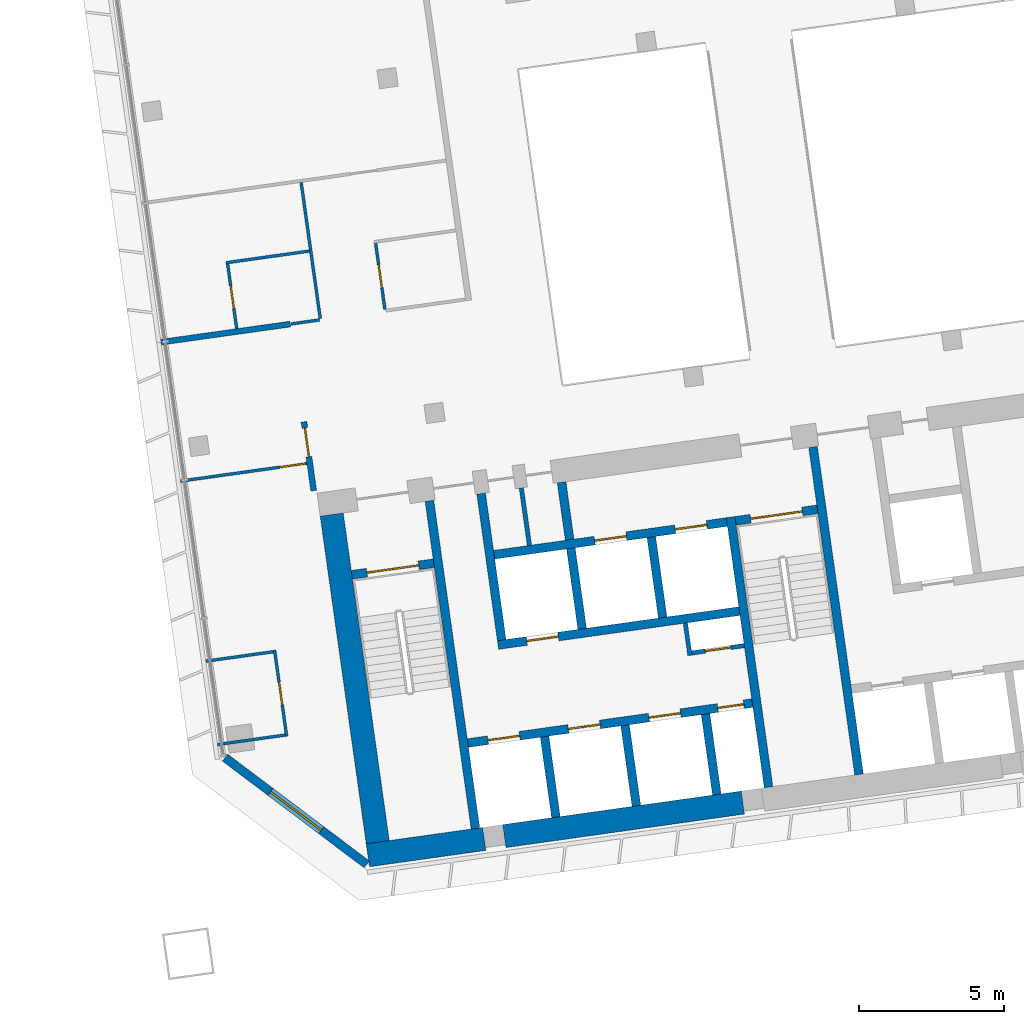
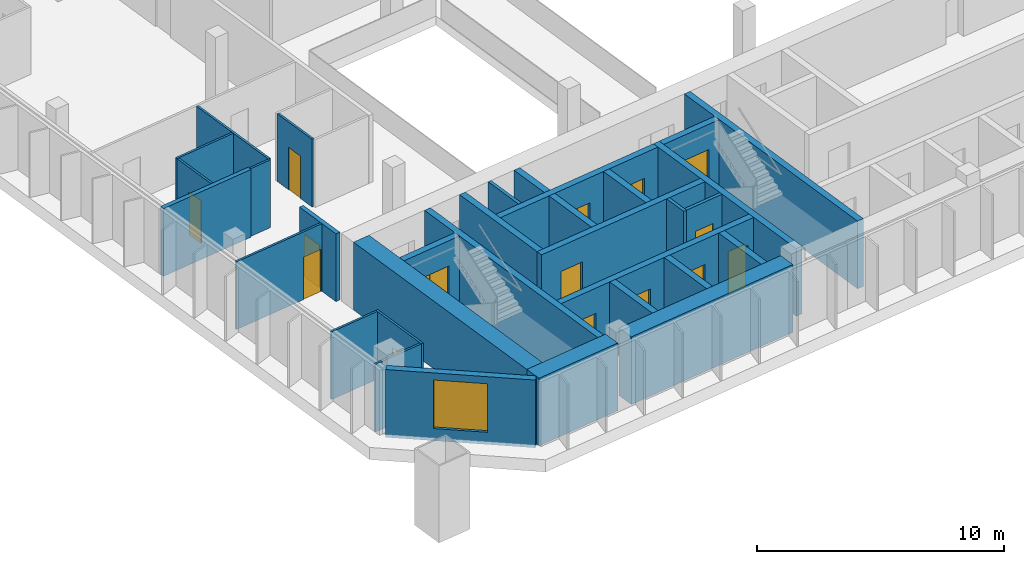
# One storey, part 18 of 26: 33 walls, 15 doors, 1 window, 16 openings.
"""IFC4 building model written with IfcOpenShell, lengths in metres."""

from ifc_helpers import new_model, si_unit, direction, frame, frame_2d, origin, place, context, subcontext, project, spatial, rectangle, extrude, material, layer, layer_set, type_object, element, fill, save


model = new_model("IFC4")

# Units and contexts
model_context = context("Model", 3, precision=1e-05, world=origin(), true_north=direction((0.0, 1.0)))
body_context = subcontext(model_context, "Body", "Model", "MODEL_VIEW")
ifc_project = project(units=[si_unit("LENGTHUNIT", "METRE"), si_unit("AREAUNIT", "SQUARE_METRE"), si_unit("VOLUMEUNIT", "CUBIC_METRE"), si_unit("PLANEANGLEUNIT", "RADIAN"), si_unit("MASSUNIT", "GRAM", prefix="KILO")], contexts=[model_context])

# Site, building, storey
site_placement = place(None, origin())
site = spatial("IfcSite", under=ifc_project, at=site_placement, CompositionType="ELEMENT")
building_placement = place(site_placement, origin())
building = spatial("IfcBuilding", under=site, at=building_placement, Name="Mirante Cascada Hotel Towers", CompositionType="ELEMENT")
storey_placement = place(building_placement, frame((0.0, 0.0, 106.3)))
storey = spatial("IfcBuildingStorey", under=building, at=storey_placement, Name="L23", CompositionType="ELEMENT", Elevation=106.3)

# Wall
ifc_material_1 = material(Name="Fire-rated plasterboard on metal studs")
ifc_layer_1 = layer(ifc_material_1, 0.2)
ifc_layer_set_1 = layer_set([ifc_layer_1], Name="Compartment wall 200 EI 120")
wall_type_1 = type_object("IfcWallType", Name="Compartment wall 200 EI 120", PredefinedType="PARTITIONING", material=ifc_layer_set_1)
wall_1_placement = place(storey_placement, frame((30.0, -2.0, 0.0), z_axis=(0.0, 0.0, 1.0), x_axis=(0.9902674, 0.1391779, 0.0)))
element("IfcWall", 1, at=wall_1_placement, inside=storey, type_object=wall_type_1, Name="Wall 2-L23-08", PredefinedType="PARTITIONING", context=body_context, shape_type="SweptSolid", body=[
    extrude(rectangle(XDim=4.5, YDim=0.2, at=frame_2d((2.25, 0.0))), origin(), (0.0, 0.0, 1.0), 3.35),
])

# Wall, opening, door
wall_2_placement = place(storey_placement, frame((35.2634, -7.1173, 0.0), z_axis=(0.0, 0.0, 1.0), x_axis=(-0.1391635, 0.9902694, 0.0)))
wall_2 = element("IfcWall", 2, at=wall_2_placement, inside=storey, type_object=wall_type_1, Name="Wall 2-L23-34", PredefinedType="PARTITIONING", context=body_context, shape_type="SweptSolid", body=[
    extrude(rectangle(XDim=2.4001, YDim=0.2, at=frame_2d((1.2, 0.0))), origin(), (0.0, 0.0, 1.0), 3.35),
])
opening_1_placement = place(wall_2_placement, frame((1.1833, 0.0, 0.0)))
opening_1 = element("IfcOpeningElement", 3, at=opening_1_placement, cuts=wall_2, Name="Opening D2-L23-28", PredefinedType="OPENING", context=body_context, shape_type="SweptSolid", body=[
    extrude(rectangle(XDim=1.0, YDim=2.1, at=frame_2d((0.5, 1.05))), frame((0.0, 0.1, 0.0), z_axis=(0.0, -1.0, 0.0), x_axis=(1.0, 0.0, 0.0)), (0.0, 0.0, 1.0), 0.2),
])
ifc_material_2 = material(Name="Fire-rated timber door leaf", Category="wood")
door_type_1 = type_object("IfcDoorType", Name="Entrance door DG1 1000x2100 EI 60", OperationType="SINGLE_SWING_LEFT", PredefinedType="DOOR", material=ifc_material_2)
door_1_placement = place(opening_1_placement, origin())
door_1 = element("IfcDoor", 4, at=door_1_placement, inside=storey, type_object=door_type_1, Name="Door D2-L23-28", OperationType="SINGLE_SWING_LEFT", OverallHeight=2.1, OverallWidth=1.0, PredefinedType="DOOR", context=body_context, shape_type="SweptSolid", body=[
    extrude(rectangle(XDim=1.0, YDim=2.1, at=frame_2d((0.5, 1.05))), frame((0.0, 0.025, 0.0), z_axis=(0.0, -1.0, 0.0), x_axis=(1.0, 0.0, 0.0)), (0.0, 0.0, 1.0), 0.05),
])
fill(opening_1, door_1)

# Wall
ifc_material_3 = material(Name="Masonry block", Category="masonry")
ifc_layer_2 = layer(ifc_material_3, 0.15)
ifc_layer_set_2 = layer_set([ifc_layer_2], Name="Core room partition 150 block EI 30")
wall_type_2 = type_object("IfcWallType", Name="Core room partition 150 block EI 30", PredefinedType="PARTITIONING", material=ifc_layer_set_2)
wall_3_placement = place(storey_placement, frame((48.2295, -12.793, 0.0), z_axis=(0.0, 0.0, 1.0), x_axis=(-0.1391935, 0.9902652, 0.0)))
element("IfcWall", 5, at=wall_3_placement, inside=storey, type_object=wall_type_2, Name="Core wall partition T2 L23 2", PredefinedType="PARTITIONING", context=body_context, shape_type="SweptSolid", body=[
    extrude(rectangle(XDim=1.1251, YDim=0.15, at=frame_2d((0.5626, 0.0))), origin(), (0.0, 0.0, 1.0), 3.35),
])

# Wall, opening, door
wall_4_placement = place(storey_placement, frame((48.2933, -12.7083, 0.0), z_axis=(0.0, 0.0, 1.0), x_axis=(0.990268, 0.1391734, 0.0)))
wall_4 = element("IfcWall", 6, at=wall_4_placement, inside=storey, type_object=wall_type_2, Name="Core wall partition T2 L23 3", PredefinedType="PARTITIONING", context=body_context, shape_type="SweptSolid", body=[
    extrude(rectangle(XDim=1.8251, YDim=0.15, at=frame_2d((0.9126, 0.0))), origin(), (0.0, 0.0, 1.0), 3.35),
])
opening_2_placement = place(wall_4_placement, frame((0.4625, 0.0, 0.0)))
opening_2 = element("IfcOpeningElement", 7, at=opening_2_placement, cuts=wall_4, Name="Opening D2-23-C23", PredefinedType="OPENING", context=body_context, shape_type="SweptSolid", body=[
    extrude(rectangle(XDim=0.9, YDim=2.1, at=frame_2d((0.45, 1.05))), frame((0.0, 0.075, 0.0), z_axis=(0.0, -1.0, 0.0), x_axis=(1.0, 0.0, 0.0)), (0.0, 0.0, 1.0), 0.15),
])
ifc_material_4 = material(Name="Hollow metal fire door leaf")
door_type_2 = type_object("IfcDoorType", Name="Fire door 900x2100 FD60", OperationType="NOTDEFINED", PredefinedType="DOOR", material=ifc_material_4)
door_2_placement = place(opening_2_placement, frame((0.9, 0.0, 0.0), z_axis=(0.0, 0.0, 1.0), x_axis=(-1.0, 0.0, 0.0)))
door_2 = element("IfcDoor", 8, at=door_2_placement, inside=storey, type_object=door_type_2, Name="Riser door T2 L23 23", OperationType="SINGLE_SWING_RIGHT", OverallHeight=2.1, OverallWidth=0.9, PredefinedType="DOOR", context=body_context, shape_type="SweptSolid", body=[
    extrude(rectangle(XDim=0.9, YDim=2.1, at=frame_2d((0.45, 1.05))), frame((0.0, 0.025, 0.0), z_axis=(0.0, -1.0, 0.0), x_axis=(1.0, 0.0, 0.0)), (0.0, 0.0, 1.0), 0.05),
])
fill(opening_2, door_2)

# Walls
wall_5_placement = place(storey_placement, frame((42.6979, -9.0009, 0.0), z_axis=(0.0, 0.0, 1.0), x_axis=(-0.1391529, 0.9902709, 0.0)))
element("IfcWall", 9, at=wall_5_placement, inside=storey, type_object=wall_type_2, Name="Core wall partition T2 L23 4", PredefinedType="PARTITIONING", context=body_context, shape_type="SweptSolid", body=[
    extrude(rectangle(XDim=2.0, YDim=0.15, at=frame_2d((1.0, 0.0))), origin(), (0.0, 0.0, 1.0), 3.35),
])
ifc_material_5 = material(Name="Masonry block", Category="masonry")
ifc_layer_3 = layer(ifc_material_5, 0.3)
ifc_layer_set_3 = layer_set([ifc_layer_3], Name="Core wall 300 block EI 120")
wall_type_3 = type_object("IfcWallType", Name="Core wall 300 block EI 120", PredefinedType="PARTITIONING", material=ifc_layer_set_3)
wall_6_placement = place(storey_placement, frame((44.0843, -8.8061, 0.0), z_axis=(0.0, 0.0, 1.0), x_axis=(-0.1391951, 0.990265, 0.0)))
element("IfcWall", 10, at=wall_6_placement, inside=storey, type_object=wall_type_3, Name="Core wall partition T2 L23 1", PredefinedType="PARTITIONING", context=body_context, shape_type="SweptSolid", body=[
    extrude(rectangle(XDim=2.0001, YDim=0.3, at=frame_2d((1.0001, 0.0))), origin(), (0.0, 0.0, 1.0), 3.35),
])
ifc_material_6 = material(Name="Plasterboard on metal studs")
ifc_layer_4 = layer(ifc_material_6, 0.1)
ifc_layer_set_4 = layer_set([ifc_layer_4], Name="Partition 100")
wall_type_4 = type_object("IfcWallType", Name="Partition 100", PredefinedType="PARTITIONING", material=ifc_layer_set_4)
for number, where, z_axis, x_axis, name in (
    (11, (31.9484, -15.8638, 0.0), (0.0, 0.0, 1.0), (0.9902661, 0.139187, 0.0), "Wall 2-L23-02"),
    (12, (33.872, -12.6649, 0.0), (0.0, 0.0, 1.0), (-0.9902661, -0.139187, 0.0), "Wall 2-L23-03"),
):
    element("IfcWall", number, at=place(storey_placement, frame(where, z_axis=z_axis, x_axis=x_axis)), inside=storey, type_object=wall_type_4, Name=name, PredefinedType="PARTITIONING", context=body_context, shape_type="SweptSolid", body=[
        extrude(rectangle(XDim=2.3501, YDim=0.1, at=frame_2d((1.175, 0.0))), origin(), (0.0, 0.0, 1.0), 3.35),
    ])

# Wall, opening, door
wall_7_placement = place(storey_placement, frame((30.6727, -6.7863, 0.0), z_axis=(0.0, 0.0, 1.0), x_axis=(0.9902665, 0.1391841, 0.0)))
wall_7 = element("IfcWall", 13, at=wall_7_placement, inside=storey, type_object=wall_type_4, Name="Wall 2-L23-04", PredefinedType="PARTITIONING", context=body_context, shape_type="SweptSolid", body=[
    extrude(rectangle(XDim=4.3999, YDim=0.1, at=frame_2d((2.2, 0.0))), origin(), (0.0, 0.0, 1.0), 3.35),
])
opening_3_placement = place(wall_7_placement, frame((3.45, 0.0, 0.0)))
opening_3 = element("IfcOpeningElement", 14, at=opening_3_placement, cuts=wall_7, Name="Opening D2-L23-02", PredefinedType="OPENING", context=body_context, shape_type="SweptSolid", body=[
    extrude(rectangle(XDim=0.9, YDim=2.1, at=frame_2d((0.45, 1.05))), frame((0.0, 0.05, 0.0), z_axis=(0.0, -1.0, 0.0), x_axis=(1.0, 0.0, 0.0)), (0.0, 0.0, 1.0), 0.1),
])
ifc_material_7 = material(Name="Timber door leaf", Category="wood")
door_type_3 = type_object("IfcDoorType", Name="Room door DG3 900x2100", OperationType="SINGLE_SWING_LEFT", PredefinedType="DOOR", material=ifc_material_7)
door_3_placement = place(opening_3_placement, frame((0.9, 0.0, 0.0), z_axis=(0.0, 0.0, 1.0), x_axis=(-1.0, 0.0, 0.0)))
door_3 = element("IfcDoor", 15, at=door_3_placement, inside=storey, type_object=door_type_3, Name="Door D2-L23-02", OperationType="SINGLE_SWING_RIGHT", OverallHeight=2.1, OverallWidth=0.9, PredefinedType="DOOR", context=body_context, shape_type="SweptSolid", body=[
    extrude(rectangle(XDim=0.9, YDim=2.1, at=frame_2d((0.45, 1.05))), frame((0.0, 0.025, 0.0), z_axis=(0.0, -1.0, 0.0), x_axis=(1.0, 0.0, 0.0)), (0.0, 0.0, 1.0), 0.05),
])
fill(opening_3, door_3)

# Walls
wall_8_placement = place(storey_placement, frame((35.4663, -1.2318, 0.0), z_axis=(0.0, 0.0, 1.0), x_axis=(-0.9902801, -0.1390877, 0.0)))
element("IfcWall", 16, at=wall_8_placement, inside=storey, type_object=wall_type_4, Name="Wall 2-L23-09", PredefinedType="PARTITIONING", context=body_context, shape_type="SweptSolid", body=[
    extrude(rectangle(XDim=0.99, YDim=0.1, at=frame_2d((0.495, 0.0))), origin(), (0.0, 0.0, 1.0), 3.35),
])
wall_9_placement = place(storey_placement, frame((32.2407, 0.7385, 0.0), z_axis=(0.0, 0.0, 1.0), x_axis=(0.9902683, 0.1391714, 0.0)))
element("IfcWall", 17, at=wall_9_placement, inside=storey, type_object=wall_type_4, Name="Wall 2-L23-12", PredefinedType="PARTITIONING", context=body_context, shape_type="SweptSolid", body=[
    extrude(rectangle(XDim=2.9, YDim=0.1, at=frame_2d((1.45, 0.0))), origin(), (0.0, 0.0, 1.0), 3.35),
])

# Wall, opening, door
wall_10_placement = place(storey_placement, frame((34.332, -15.5793, 0.0), z_axis=(0.0, 0.0, 1.0), x_axis=(-0.1391624, 0.9902696, 0.0)))
wall_10 = element("IfcWall", 18, at=wall_10_placement, inside=storey, type_object=wall_type_4, Name="Wall 2-L23-32", PredefinedType="PARTITIONING", context=body_context, shape_type="SweptSolid", body=[
    extrude(rectangle(XDim=3.0001, YDim=0.1, at=frame_2d((1.5001, 0.0))), origin(), (0.0, 0.0, 1.0), 3.35),
])
opening_4_placement = place(wall_10_placement, frame((1.1, 0.0, 0.0)))
opening_4 = element("IfcOpeningElement", 19, at=opening_4_placement, cuts=wall_10, Name="Opening D2-L23-26", PredefinedType="OPENING", context=body_context, shape_type="SweptSolid", body=[
    extrude(rectangle(XDim=0.8, YDim=2.1, at=frame_2d((0.4, 1.05))), frame((0.0, 0.05, 0.0), z_axis=(0.0, -1.0, 0.0), x_axis=(1.0, 0.0, 0.0)), (0.0, 0.0, 1.0), 0.1),
])
ifc_material_8 = material(Name="Timber door leaf", Category="wood")
door_type_4 = type_object("IfcDoorType", Name="Bathroom door DG4 800x2100", OperationType="SINGLE_SWING_LEFT", PredefinedType="DOOR", material=ifc_material_8)
door_4_placement = place(opening_4_placement, frame((0.8, 0.0, 0.0), z_axis=(0.0, 0.0, 1.0), x_axis=(-1.0, 0.0, 0.0)))
door_4 = element("IfcDoor", 20, at=door_4_placement, inside=storey, type_object=door_type_4, Name="Door D2-L23-26", OperationType="SINGLE_SWING_RIGHT", OverallHeight=2.1, OverallWidth=0.8, PredefinedType="DOOR", context=body_context, shape_type="SweptSolid", body=[
    extrude(rectangle(XDim=0.8, YDim=2.1, at=frame_2d((0.4, 1.05))), frame((0.0, 0.025, 0.0), z_axis=(0.0, -1.0, 0.0), x_axis=(1.0, 0.0, 0.0)), (0.0, 0.0, 1.0), 0.05),
])
fill(opening_4, door_4)

wall_11_placement = place(storey_placement, frame((32.2972, 0.6959, 0.0), z_axis=(0.0, 0.0, 1.0), x_axis=(0.1391561, -0.9902705, 0.0)))
wall_11 = element("IfcWall", 21, at=wall_11_placement, inside=storey, type_object=wall_type_4, Name="Wall 2-L23-33", PredefinedType="PARTITIONING", context=body_context, shape_type="SweptSolid", body=[
    extrude(rectangle(XDim=2.25, YDim=0.1, at=frame_2d((1.125, 0.0))), origin(), (0.0, 0.0, 1.0), 3.35),
])
opening_5_placement = place(wall_11_placement, frame((0.75, 0.0, 0.0)))
opening_5 = element("IfcOpeningElement", 22, at=opening_5_placement, cuts=wall_11, Name="Opening D2-L23-27", PredefinedType="OPENING", context=body_context, shape_type="SweptSolid", body=[
    extrude(rectangle(XDim=0.8, YDim=2.1, at=frame_2d((0.4, 1.05))), frame((0.0, 0.05, 0.0), z_axis=(0.0, -1.0, 0.0), x_axis=(1.0, 0.0, 0.0)), (0.0, 0.0, 1.0), 0.1),
])
door_5_placement = place(opening_5_placement, origin())
door_5 = element("IfcDoor", 23, at=door_5_placement, inside=storey, type_object=door_type_4, Name="Door D2-L23-27", OperationType="SINGLE_SWING_LEFT", OverallHeight=2.1, OverallWidth=0.8, PredefinedType="DOOR", context=body_context, shape_type="SweptSolid", body=[
    extrude(rectangle(XDim=0.8, YDim=2.1, at=frame_2d((0.4, 1.05))), frame((0.0, 0.025, 0.0), z_axis=(0.0, -1.0, 0.0), x_axis=(1.0, 0.0, 0.0)), (0.0, 0.0, 1.0), 0.05),
])
fill(opening_5, door_5)

# Wall
wall_12_placement = place(storey_placement, frame((35.489, -1.1781, 0.0), z_axis=(0.0, 0.0, 1.0), x_axis=(-0.1391613, 0.9902697, 0.0)))
element("IfcWall", 24, at=wall_12_placement, inside=storey, type_object=wall_type_4, Name="Wall 2-L23-36", PredefinedType="PARTITIONING", context=body_context, shape_type="SweptSolid", body=[
    extrude(rectangle(XDim=4.7334, YDim=0.1, at=frame_2d((2.3667, 0.0))), origin(), (0.0, 0.0, 1.0), 3.35),
])

# Wall, opening, door
wall_13_placement = place(storey_placement, frame((37.397, 1.4127, 0.0), z_axis=(0.0, 0.0, 1.0), x_axis=(0.1391749, -0.9902678, 0.0)))
wall_13 = element("IfcWall", 25, at=wall_13_placement, inside=storey, type_object=wall_type_4, Name="Wall 2-L23-37", PredefinedType="PARTITIONING", context=body_context, shape_type="SweptSolid", body=[
    extrude(rectangle(XDim=2.3, YDim=0.1, at=frame_2d((1.15, 0.0))), origin(), (0.0, 0.0, 1.0), 3.35),
])
opening_6_placement = place(wall_13_placement, frame((0.75, 0.0, 0.0)))
opening_6 = element("IfcOpeningElement", 26, at=opening_6_placement, cuts=wall_13, Name="Opening D2-L23-30", PredefinedType="OPENING", context=body_context, shape_type="SweptSolid", body=[
    extrude(rectangle(XDim=0.8, YDim=2.1, at=frame_2d((0.4, 1.05))), frame((0.0, 0.05, 0.0), z_axis=(0.0, -1.0, 0.0), x_axis=(1.0, 0.0, 0.0)), (0.0, 0.0, 1.0), 0.1),
])
door_6_placement = place(opening_6_placement, origin())
door_6 = element("IfcDoor", 27, at=door_6_placement, inside=storey, type_object=door_type_4, Name="Door D2-L23-30", OperationType="SINGLE_SWING_LEFT", OverallHeight=2.1, OverallWidth=0.8, PredefinedType="DOOR", context=body_context, shape_type="SweptSolid", body=[
    extrude(rectangle(XDim=0.8, YDim=2.1, at=frame_2d((0.4, 1.05))), frame((0.0, 0.025, 0.0), z_axis=(0.0, -1.0, 0.0), x_axis=(1.0, 0.0, 0.0)), (0.0, 0.0, 1.0), 0.05),
])
fill(opening_6, door_6)

# Wall, opening, window
ifc_material_9 = material(Name="Precast concrete C40/50", Category="concrete")
ifc_layer_5 = layer(ifc_material_9, 0.3)
ifc_layer_set_5 = layer_set([ifc_layer_5], Name="Precast concrete C40/50 cladding wall 300")
wall_type_5 = type_object("IfcWallType", Name="Precast concrete C40/50 cladding wall 300", PredefinedType="STANDARD", material=ifc_layer_set_5)
wall_14_placement = place(storey_placement, frame((32.2074, -16.3138, 0.0), z_axis=(0.0, 0.0, 1.0), x_axis=(0.7986362, -0.6018141, 0.0)))
wall_14 = element("IfcWall", 28, at=wall_14_placement, inside=storey, type_object=wall_type_5, Name="Corner cladding wall T2 L23 inner rear", PredefinedType="STANDARD", context=body_context, shape_type="SweptSolid", body=[
    extrude(rectangle(XDim=6.1157, YDim=0.3, at=frame_2d((3.0578, 0.0))), origin(), (0.0, 0.0, 1.0), 3.35),
])
opening_7_placement = place(wall_14_placement, frame((1.9578, 0.0, 0.6)))
opening_7 = element("IfcOpeningElement", 29, at=opening_7_placement, cuts=wall_14, Name="Opening W2-23-06", PredefinedType="OPENING", context=body_context, shape_type="SweptSolid", body=[
    extrude(rectangle(XDim=2.2, YDim=2.4, at=frame_2d((1.1, 1.2))), frame((0.0, 0.15, 0.0), z_axis=(0.0, -1.0, 0.0), x_axis=(1.0, 0.0, 0.0)), (0.0, 0.0, 1.0), 0.3),
])
ifc_material_10 = material(Name="Aluminium frame with clear double glazing", Category="aluminium")
window_type = type_object("IfcWindowType", Name="Corner suite window 2200x2400", PartitioningType="DOUBLE_PANEL_VERTICAL", PredefinedType="WINDOW", material=ifc_material_10)
window_placement = place(opening_7_placement, origin())
window = element("IfcWindow", 30, at=window_placement, inside=storey, type_object=window_type, Name="Window W2-23-06", OverallHeight=2.4, OverallWidth=2.2, PartitioningType="SINGLE_PANEL", PredefinedType="WINDOW", context=body_context, shape_type="SweptSolid", body=[
    extrude(rectangle(XDim=2.2, YDim=2.4, at=frame_2d((1.1, 1.2))), frame((0.0, 0.03, 0.0), z_axis=(0.0, -1.0, 0.0), x_axis=(1.0, 0.0, 0.0)), (0.0, 0.0, 1.0), 0.06),
])
fill(opening_7, window)

# Walls
ifc_material_11 = material(Name="Concrete C50/60", Category="concrete")
ifc_layer_6 = layer(ifc_material_11, 0.3)
ifc_layer_set_6 = layer_set([ifc_layer_6], Name="RC core wall 300 C50/60")
wall_type_6 = type_object("IfcWallType", Name="RC core wall 300 C50/60", PredefinedType="SHEAR", material=ifc_layer_set_6)
wall_15_placement = place(storey_placement, frame((40.8373, -18.7548, 0.0), z_axis=(0.0, 0.0, 1.0), x_axis=(-0.1391749, 0.9902678, 0.0)))
element("IfcWall", 31, at=wall_15_placement, inside=storey, type_object=wall_type_6, Name="Core wall T2:L23:5", PredefinedType="SHEAR", context=body_context, shape_type="SweptSolid", body=[
    extrude(rectangle(XDim=11.4, YDim=0.3, at=frame_2d((5.7, 0.0))), origin(), (0.0, 0.0, 1.0), 3.35),
])
wall_16_placement = place(storey_placement, frame((50.938, -17.3352, 0.0), z_axis=(0.0, 0.0, 1.0), x_axis=(-0.1391706, 0.9902684, 0.0)))
element("IfcWall", 32, at=wall_16_placement, inside=storey, type_object=wall_type_6, Name="Core wall T2:L23:6", PredefinedType="SHEAR", context=body_context, shape_type="SweptSolid", body=[
    extrude(rectangle(XDim=9.4, YDim=0.3, at=frame_2d((4.7, 0.0))), origin(), (0.0, 0.0, 1.0), 3.35),
])
wall_17_placement = place(storey_placement, frame((54.0574, -16.8968, 0.0), z_axis=(0.0, 0.0, 1.0), x_axis=(-0.1391761, 0.9902677, 0.0)))
element("IfcWall", 33, at=wall_17_placement, inside=storey, type_object=wall_type_6, Name="Core wall T2:L23:7", PredefinedType="SHEAR", context=body_context, shape_type="SweptSolid", body=[
    extrude(rectangle(XDim=11.3999, YDim=0.3, at=frame_2d((5.7, 0.0))), origin(), (0.0, 0.0, 1.0), 3.35),
])

# Wall, opening, door
wall_18_placement = place(storey_placement, frame((36.5791, -10.0123, 0.0), z_axis=(0.0, 0.0, 1.0), x_axis=(0.9902704, 0.1391564, 0.0)))
wall_18 = element("IfcWall", 34, at=wall_18_placement, inside=storey, type_object=wall_type_6, Name="Core wall T2:L23:9", PredefinedType="SHEAR", context=body_context, shape_type="SweptSolid", body=[
    extrude(rectangle(XDim=2.85, YDim=0.3, at=frame_2d((1.425, 0.0))), origin(), (0.0, 0.0, 1.0), 3.35),
])
opening_8_placement = place(wall_18_placement, frame((0.525, 0.0, 0.0)))
opening_8 = element("IfcOpeningElement", 35, at=opening_8_placement, cuts=wall_18, Name="Opening D2-23-C13", PredefinedType="OPENING", context=body_context, shape_type="SweptSolid", body=[
    extrude(rectangle(XDim=1.8, YDim=2.1, at=frame_2d((0.9, 1.05))), frame((0.0, 0.15, 0.0), z_axis=(0.0, -1.0, 0.0), x_axis=(1.0, 0.0, 0.0)), (0.0, 0.0, 1.0), 0.3),
])
ifc_material_12 = material(Name="Hollow metal fire door leaf")
door_type_5 = type_object("IfcDoorType", Name="Double fire door 1800x2100 FD60", OperationType="DOUBLE_DOOR_SINGLE_SWING", PredefinedType="DOOR", material=ifc_material_12)
door_7_placement = place(opening_8_placement, frame((1.8, 0.0, 0.0), z_axis=(0.0, 0.0, 1.0), x_axis=(-1.0, 0.0, 0.0)))
door_7 = element("IfcDoor", 36, at=door_7_placement, inside=storey, type_object=door_type_5, Name="Stair door T2 L23 13", OperationType="DOUBLE_DOOR_SINGLE_SWING", OverallHeight=2.1, OverallWidth=1.8, PredefinedType="DOOR", context=body_context, shape_type="SweptSolid", body=[
    extrude(rectangle(XDim=0.895, YDim=2.1, at=frame_2d((0.4475, 1.05))), frame((0.0, 0.025, 0.0), z_axis=(0.0, -1.0, 0.0), x_axis=(1.0, 0.0, 0.0)), (0.0, 0.0, 1.0), 0.05),
    extrude(rectangle(XDim=0.895, YDim=2.1, at=frame_2d((1.3525, 1.05))), frame((0.0, 0.025, 0.0), z_axis=(0.0, -1.0, 0.0), x_axis=(1.0, 0.0, 0.0)), (0.0, 0.0, 1.0), 0.05),
])
fill(opening_8, door_7)

wall_19_placement = place(storey_placement, frame((49.7992, -8.1544, 0.0), z_axis=(0.0, 0.0, 1.0), x_axis=(0.9902656, 0.1391909, 0.0)))
wall_19 = element("IfcWall", 37, at=wall_19_placement, inside=storey, type_object=wall_type_6, Name="Core wall T2:L23:10", PredefinedType="SHEAR", context=body_context, shape_type="SweptSolid", body=[
    extrude(rectangle(XDim=2.85, YDim=0.3, at=frame_2d((1.425, 0.0))), origin(), (0.0, 0.0, 1.0), 3.35),
])
opening_9_placement = place(wall_19_placement, frame((0.525, 0.0, 0.0)))
opening_9 = element("IfcOpeningElement", 38, at=opening_9_placement, cuts=wall_19, Name="Opening D2-23-C15", PredefinedType="OPENING", context=body_context, shape_type="SweptSolid", body=[
    extrude(rectangle(XDim=1.8, YDim=2.1, at=frame_2d((0.9, 1.05))), frame((0.0, 0.15, 0.0), z_axis=(0.0, -1.0, 0.0), x_axis=(1.0, 0.0, 0.0)), (0.0, 0.0, 1.0), 0.3),
])
door_8_placement = place(opening_9_placement, frame((1.8, 0.0, 0.0), z_axis=(0.0, 0.0, 1.0), x_axis=(-1.0, 0.0, 0.0)))
door_8 = element("IfcDoor", 39, at=door_8_placement, inside=storey, type_object=door_type_5, Name="Stair door T2 L23 15", OperationType="DOUBLE_DOOR_SINGLE_SWING", OverallHeight=2.1, OverallWidth=1.8, PredefinedType="DOOR", context=body_context, shape_type="SweptSolid", body=[
    extrude(rectangle(XDim=0.895, YDim=2.1, at=frame_2d((0.4475, 1.05))), frame((0.0, 0.025, 0.0), z_axis=(0.0, -1.0, 0.0), x_axis=(1.0, 0.0, 0.0)), (0.0, 0.0, 1.0), 0.05),
    extrude(rectangle(XDim=0.895, YDim=2.1, at=frame_2d((1.3525, 1.05))), frame((0.0, 0.025, 0.0), z_axis=(0.0, -1.0, 0.0), x_axis=(1.0, 0.0, 0.0)), (0.0, 0.0, 1.0), 0.05),
])
fill(opening_9, door_8)

# Wall, openings, doors
wall_20_placement = place(storey_placement, frame((40.5753, -15.8126, 0.0), z_axis=(0.0, 0.0, 1.0), x_axis=(0.9902682, 0.1391725, 0.0)))
wall_20 = element("IfcWall", 40, at=wall_20_placement, inside=storey, type_object=wall_type_6, Name="Core wall T2:L23:12", PredefinedType="SHEAR", context=body_context, shape_type="SweptSolid", body=[
    extrude(rectangle(XDim=9.8999, YDim=0.3, at=frame_2d((4.95, 0.0))), origin(), (0.0, 0.0, 1.0), 3.35),
])
opening_10_placement = place(wall_20_placement, frame((0.7, 0.0, 0.0)))
opening_10 = element("IfcOpeningElement", 41, at=opening_10_placement, cuts=wall_20, Name="Opening LD", PredefinedType="OPENING", context=body_context, shape_type="SweptSolid", body=[
    extrude(rectangle(XDim=1.1, YDim=2.1, at=frame_2d((0.55, 1.05))), frame((0.0, 0.15, 0.0), z_axis=(0.0, -1.0, 0.0), x_axis=(1.0, 0.0, 0.0)), (0.0, 0.0, 1.0), 0.3),
])
opening_11_placement = place(wall_20_placement, frame((3.5, 0.0, 0.0)))
opening_11 = element("IfcOpeningElement", 42, at=opening_11_placement, cuts=wall_20, Name="Opening LD", PredefinedType="OPENING", context=body_context, shape_type="SweptSolid", body=[
    extrude(rectangle(XDim=1.1, YDim=2.1, at=frame_2d((0.55, 1.05))), frame((0.0, 0.15, 0.0), z_axis=(0.0, -1.0, 0.0), x_axis=(1.0, 0.0, 0.0)), (0.0, 0.0, 1.0), 0.3),
])
opening_12_placement = place(wall_20_placement, frame((6.3, 0.0, 0.0)))
opening_12 = element("IfcOpeningElement", 43, at=opening_12_placement, cuts=wall_20, Name="Opening LD", PredefinedType="OPENING", context=body_context, shape_type="SweptSolid", body=[
    extrude(rectangle(XDim=1.1, YDim=2.1, at=frame_2d((0.55, 1.05))), frame((0.0, 0.15, 0.0), z_axis=(0.0, -1.0, 0.0), x_axis=(1.0, 0.0, 0.0)), (0.0, 0.0, 1.0), 0.3),
])
opening_13_placement = place(wall_20_placement, frame((8.7, 0.0, 0.0)))
opening_13 = element("IfcOpeningElement", 44, at=opening_13_placement, cuts=wall_20, Name="Opening D2-23-C22", PredefinedType="OPENING", context=body_context, shape_type="SweptSolid", body=[
    extrude(rectangle(XDim=0.9, YDim=2.1, at=frame_2d((0.45, 1.05))), frame((0.0, 0.15, 0.0), z_axis=(0.0, -1.0, 0.0), x_axis=(1.0, 0.0, 0.0)), (0.0, 0.0, 1.0), 0.3),
])
door_9_placement = place(opening_13_placement, frame((0.9, 0.0, 0.0), z_axis=(0.0, 0.0, 1.0), x_axis=(-1.0, 0.0, 0.0)))
door_9 = element("IfcDoor", 45, at=door_9_placement, inside=storey, type_object=door_type_2, Name="Riser door T2 L23 22", OperationType="SINGLE_SWING_RIGHT", OverallHeight=2.1, OverallWidth=0.9, PredefinedType="DOOR", context=body_context, shape_type="SweptSolid", body=[
    extrude(rectangle(XDim=0.9, YDim=2.1, at=frame_2d((0.45, 1.05))), frame((0.0, 0.025, 0.0), z_axis=(0.0, -1.0, 0.0), x_axis=(1.0, 0.0, 0.0)), (0.0, 0.0, 1.0), 0.05),
])
fill(opening_13, door_9)
ifc_material_13 = material(Name="Stainless steel", Category="steel")
door_type_6 = type_object("IfcDoorType", Name="Lift landing door 1100x2100 EI 120", OperationType="DOUBLE_DOOR_SLIDING", PredefinedType="DOOR", material=ifc_material_13)
door_10_placement = place(opening_10_placement, origin())
door_10 = element("IfcDoor", 46, at=door_10_placement, inside=storey, type_object=door_type_6, Name="Lift landing door HR2-1 L23", OperationType="DOUBLE_DOOR_SLIDING", OverallHeight=2.1, OverallWidth=1.1, PredefinedType="DOOR", context=body_context, shape_type="SweptSolid", body=[
    extrude(rectangle(XDim=0.545, YDim=2.1, at=frame_2d((0.2725, 1.05))), frame((0.0, 0.025, 0.0), z_axis=(0.0, -1.0, 0.0), x_axis=(1.0, 0.0, 0.0)), (0.0, 0.0, 1.0), 0.05),
    extrude(rectangle(XDim=0.545, YDim=2.1, at=frame_2d((0.8275, 1.05))), frame((0.0, 0.025, 0.0), z_axis=(0.0, -1.0, 0.0), x_axis=(1.0, 0.0, 0.0)), (0.0, 0.0, 1.0), 0.05),
])
fill(opening_10, door_10)
door_11_placement = place(opening_11_placement, origin())
door_11 = element("IfcDoor", 47, at=door_11_placement, inside=storey, type_object=door_type_6, Name="Lift landing door HR2-2 L23", OperationType="DOUBLE_DOOR_SLIDING", OverallHeight=2.1, OverallWidth=1.1, PredefinedType="DOOR", context=body_context, shape_type="SweptSolid", body=[
    extrude(rectangle(XDim=0.545, YDim=2.1, at=frame_2d((0.2725, 1.05))), frame((0.0, 0.025, 0.0), z_axis=(0.0, -1.0, 0.0), x_axis=(1.0, 0.0, 0.0)), (0.0, 0.0, 1.0), 0.05),
    extrude(rectangle(XDim=0.545, YDim=2.1, at=frame_2d((0.8275, 1.05))), frame((0.0, 0.025, 0.0), z_axis=(0.0, -1.0, 0.0), x_axis=(1.0, 0.0, 0.0)), (0.0, 0.0, 1.0), 0.05),
])
fill(opening_11, door_11)
door_12_placement = place(opening_12_placement, origin())
door_12 = element("IfcDoor", 48, at=door_12_placement, inside=storey, type_object=door_type_6, Name="Lift landing door HR2-3 L23", OperationType="DOUBLE_DOOR_SLIDING", OverallHeight=2.1, OverallWidth=1.1, PredefinedType="DOOR", context=body_context, shape_type="SweptSolid", body=[
    extrude(rectangle(XDim=0.545, YDim=2.1, at=frame_2d((0.2725, 1.05))), frame((0.0, 0.025, 0.0), z_axis=(0.0, -1.0, 0.0), x_axis=(1.0, 0.0, 0.0)), (0.0, 0.0, 1.0), 0.05),
    extrude(rectangle(XDim=0.545, YDim=2.1, at=frame_2d((0.8275, 1.05))), frame((0.0, 0.025, 0.0), z_axis=(0.0, -1.0, 0.0), x_axis=(1.0, 0.0, 0.0)), (0.0, 0.0, 1.0), 0.05),
])
fill(opening_12, door_12)

# Wall, opening, door
wall_21_placement = place(storey_placement, frame((41.6153, -12.435, 0.0), z_axis=(0.0, 0.0, 1.0), x_axis=(0.9902691, 0.139166, 0.0)))
wall_21 = element("IfcWall", 49, at=wall_21_placement, inside=storey, type_object=wall_type_6, Name="Core wall T2:L23:13", PredefinedType="SHEAR", context=body_context, shape_type="SweptSolid", body=[
    extrude(rectangle(XDim=8.4, YDim=0.3, at=frame_2d((4.2, 0.0))), origin(), (0.0, 0.0, 1.0), 3.35),
])
opening_14_placement = place(wall_21_placement, frame((1.0, 0.0, 0.0)))
opening_14 = element("IfcOpeningElement", 50, at=opening_14_placement, cuts=wall_21, Name="Opening LD", PredefinedType="OPENING", context=body_context, shape_type="SweptSolid", body=[
    extrude(rectangle(XDim=1.1, YDim=2.1, at=frame_2d((0.55, 1.05))), frame((0.0, 0.15, 0.0), z_axis=(0.0, -1.0, 0.0), x_axis=(1.0, 0.0, 0.0)), (0.0, 0.0, 1.0), 0.3),
])
door_13_placement = place(opening_14_placement, origin())
door_13 = element("IfcDoor", 51, at=door_13_placement, inside=storey, type_object=door_type_6, Name="Lift landing door HR2-4 L23", OperationType="DOUBLE_DOOR_SLIDING", OverallHeight=2.1, OverallWidth=1.1, PredefinedType="DOOR", context=body_context, shape_type="SweptSolid", body=[
    extrude(rectangle(XDim=0.545, YDim=2.1, at=frame_2d((0.2725, 1.05))), frame((0.0, 0.025, 0.0), z_axis=(0.0, -1.0, 0.0), x_axis=(1.0, 0.0, 0.0)), (0.0, 0.0, 1.0), 0.05),
    extrude(rectangle(XDim=0.545, YDim=2.1, at=frame_2d((0.8275, 1.05))), frame((0.0, 0.025, 0.0), z_axis=(0.0, -1.0, 0.0), x_axis=(1.0, 0.0, 0.0)), (0.0, 0.0, 1.0), 0.05),
])
fill(opening_14, door_13)

# Wall, openings, doors
wall_22_placement = place(storey_placement, frame((41.481, -9.3234, 0.0), z_axis=(0.0, 0.0, 1.0), x_axis=(0.9902679, 0.1391741, 0.0)))
wall_22 = element("IfcWall", 52, at=wall_22_placement, inside=storey, type_object=wall_type_6, Name="Core wall T2:L23:14", PredefinedType="SHEAR", context=body_context, shape_type="SweptSolid", body=[
    extrude(rectangle(XDim=8.0999, YDim=0.3, at=frame_2d((4.05, 0.0))), origin(), (0.0, 0.0, 1.0), 3.35),
])
opening_15_placement = place(wall_22_placement, frame((3.5, 0.0, 0.0)))
opening_15 = element("IfcOpeningElement", 53, at=opening_15_placement, cuts=wall_22, Name="Opening LD", PredefinedType="OPENING", context=body_context, shape_type="SweptSolid", body=[
    extrude(rectangle(XDim=1.1, YDim=2.1, at=frame_2d((0.55, 1.05))), frame((0.0, 0.15, 0.0), z_axis=(0.0, -1.0, 0.0), x_axis=(1.0, 0.0, 0.0)), (0.0, 0.0, 1.0), 0.3),
])
opening_16_placement = place(wall_22_placement, frame((6.3, 0.0, 0.0)))
opening_16 = element("IfcOpeningElement", 54, at=opening_16_placement, cuts=wall_22, Name="Opening LD", PredefinedType="OPENING", context=body_context, shape_type="SweptSolid", body=[
    extrude(rectangle(XDim=1.1, YDim=2.1, at=frame_2d((0.55, 1.05))), frame((0.0, 0.15, 0.0), z_axis=(0.0, -1.0, 0.0), x_axis=(1.0, 0.0, 0.0)), (0.0, 0.0, 1.0), 0.3),
])
door_14_placement = place(opening_15_placement, origin())
door_14 = element("IfcDoor", 55, at=door_14_placement, inside=storey, type_object=door_type_6, Name="Lift landing door FF3 L23", OperationType="DOUBLE_DOOR_SLIDING", OverallHeight=2.1, OverallWidth=1.1, PredefinedType="DOOR", context=body_context, shape_type="SweptSolid", body=[
    extrude(rectangle(XDim=0.545, YDim=2.1, at=frame_2d((0.2725, 1.05))), frame((0.0, 0.025, 0.0), z_axis=(0.0, -1.0, 0.0), x_axis=(1.0, 0.0, 0.0)), (0.0, 0.0, 1.0), 0.05),
    extrude(rectangle(XDim=0.545, YDim=2.1, at=frame_2d((0.8275, 1.05))), frame((0.0, 0.025, 0.0), z_axis=(0.0, -1.0, 0.0), x_axis=(1.0, 0.0, 0.0)), (0.0, 0.0, 1.0), 0.05),
])
fill(opening_15, door_14)
door_15_placement = place(opening_16_placement, origin())
door_15 = element("IfcDoor", 56, at=door_15_placement, inside=storey, type_object=door_type_6, Name="Lift landing door FF4 L23", OperationType="DOUBLE_DOOR_SLIDING", OverallHeight=2.1, OverallWidth=1.1, PredefinedType="DOOR", context=body_context, shape_type="SweptSolid", body=[
    extrude(rectangle(XDim=0.545, YDim=2.1, at=frame_2d((0.2725, 1.05))), frame((0.0, 0.025, 0.0), z_axis=(0.0, -1.0, 0.0), x_axis=(1.0, 0.0, 0.0)), (0.0, 0.0, 1.0), 0.05),
    extrude(rectangle(XDim=0.545, YDim=2.1, at=frame_2d((0.8275, 1.05))), frame((0.0, 0.025, 0.0), z_axis=(0.0, -1.0, 0.0), x_axis=(1.0, 0.0, 0.0)), (0.0, 0.0, 1.0), 0.05),
])
fill(opening_16, door_15)

# Walls
wall_23_placement = place(storey_placement, frame((43.61, -18.3651, 0.0), z_axis=(0.0, 0.0, 1.0), x_axis=(-0.1391459, 0.9902719, 0.0)))
element("IfcWall", 57, at=wall_23_placement, inside=storey, type_object=wall_type_6, Name="Core wall T2:L23:15", PredefinedType="SHEAR", context=body_context, shape_type="SweptSolid", body=[
    extrude(rectangle(XDim=2.7999, YDim=0.3, at=frame_2d((1.4, 0.0))), origin(), (0.0, 0.0, 1.0), 3.35),
])
wall_24_placement = place(storey_placement, frame((46.3828, -17.9754, 0.0), z_axis=(0.0, 0.0, 1.0), x_axis=(-0.139181, 0.990267, 0.0)))
element("IfcWall", 58, at=wall_24_placement, inside=storey, type_object=wall_type_6, Name="Core wall T2:L23:16", PredefinedType="SHEAR", context=body_context, shape_type="SweptSolid", body=[
    extrude(rectangle(XDim=2.8, YDim=0.3, at=frame_2d((1.4, 0.0))), origin(), (0.0, 0.0, 1.0), 3.35),
])
wall_25_placement = place(storey_placement, frame((49.1555, -17.5857, 0.0), z_axis=(0.0, 0.0, 1.0), x_axis=(-0.1391459, 0.9902719, 0.0)))
element("IfcWall", 59, at=wall_25_placement, inside=storey, type_object=wall_type_6, Name="Core wall T2:L23:17", PredefinedType="SHEAR", context=body_context, shape_type="SweptSolid", body=[
    extrude(rectangle(XDim=2.7999, YDim=0.3, at=frame_2d((1.4, 0.0))), origin(), (0.0, 0.0, 1.0), 3.35),
])
for number, where, z_axis, x_axis, name in (
    (60, (44.5157, -11.8759, 0.0), (0.0, 0.0, 1.0), (-0.139181, 0.990267, 0.0), "Core wall T2:L23:18"),
    (61, (47.2885, -11.4862, 0.0), (0.0, 0.0, 1.0), (-0.139181, 0.990267, 0.0), "Core wall T2:L23:19"),
):
    element("IfcWall", number, at=place(storey_placement, frame(where, z_axis=z_axis, x_axis=x_axis)), inside=storey, type_object=wall_type_6, Name=name, PredefinedType="SHEAR", context=body_context, shape_type="SweptSolid", body=[
        extrude(rectangle(XDim=2.8, YDim=0.3, at=frame_2d((1.4, 0.0))), origin(), (0.0, 0.0, 1.0), 3.35),
    ])
wall_26_placement = place(storey_placement, frame((41.743, -12.2656, 0.0), z_axis=(0.0, 0.0, 1.0), x_axis=(-0.1391755, 0.9902677, 0.0)))
element("IfcWall", 62, at=wall_26_placement, inside=storey, type_object=wall_type_6, Name="Core wall T2:L23:20", PredefinedType="SHEAR", context=body_context, shape_type="SweptSolid", body=[
    extrude(rectangle(XDim=5.1, YDim=0.3, at=frame_2d((2.55, 0.0))), origin(), (0.0, 0.0, 1.0), 3.35),
])
ifc_material_14 = material(Name="Concrete C50/60", Category="concrete")
ifc_layer_7 = layer(ifc_material_14, 0.8)
ifc_layer_set_7 = layer_set([ifc_layer_7], Name="RC core wall 800 C50/60")
wall_type_7 = type_object("IfcWallType", Name="RC core wall 800 C50/60", PredefinedType="SHEAR", material=ifc_layer_set_7)
wall_27_placement = place(storey_placement, frame((37.1299, -19.6798, 0.0), z_axis=(0.0, 0.0, 1.0), x_axis=(0.9902665, 0.1391845, 0.0)))
element("IfcWall", 63, at=wall_27_placement, inside=storey, type_object=wall_type_7, Name="Core wall T2:L23:1.1", PredefinedType="SHEAR", context=body_context, shape_type="SweptSolid", body=[
    extrude(rectangle(XDim=4.05, YDim=0.8, at=frame_2d((2.025, 0.0))), origin(), (0.0, 0.0, 1.0), 3.35),
])
wall_28_placement = place(storey_placement, frame((41.8337, -19.0187, 0.0), z_axis=(0.0, 0.0, 1.0), x_axis=(0.9902686, 0.1391692, 0.0)))
element("IfcWall", 64, at=wall_28_placement, inside=storey, type_object=wall_type_7, Name="Core wall T2:L23:1.2", PredefinedType="SHEAR", context=body_context, shape_type="SweptSolid", body=[
    extrude(rectangle(XDim=8.3, YDim=0.8, at=frame_2d((4.15, 0.0))), origin(), (0.0, 0.0, 1.0), 3.35),
])
wall_29_placement = place(storey_placement, frame((37.4704, -19.228, 0.0), z_axis=(0.0, 0.0, 1.0), x_axis=(-0.1391749, 0.9902678, 0.0)))
element("IfcWall", 65, at=wall_29_placement, inside=storey, type_object=wall_type_7, Name="Core wall T2:L23:3", PredefinedType="SHEAR", context=body_context, shape_type="SweptSolid", body=[
    extrude(rectangle(XDim=11.4, YDim=0.8, at=frame_2d((5.7, 0.0))), origin(), (0.0, 0.0, 1.0), 3.35),
])

save(model, "model.ifc")
